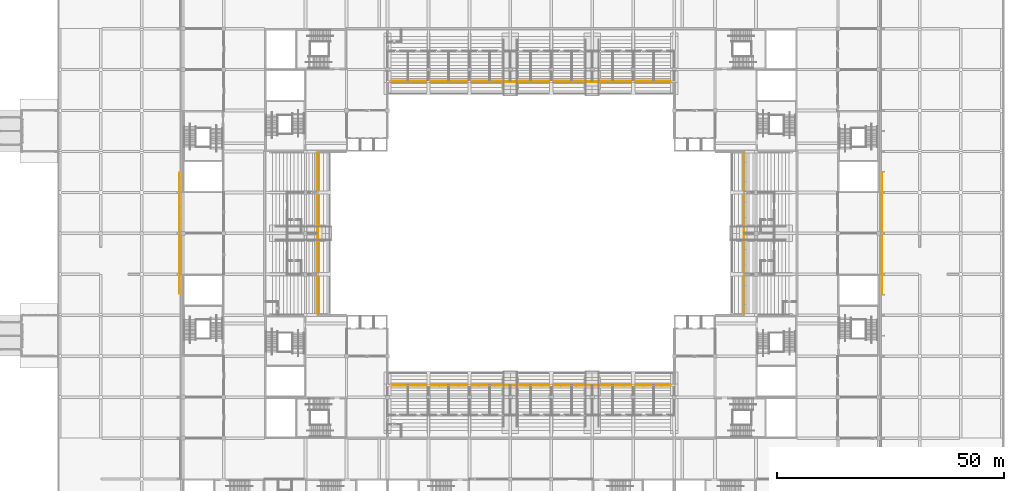
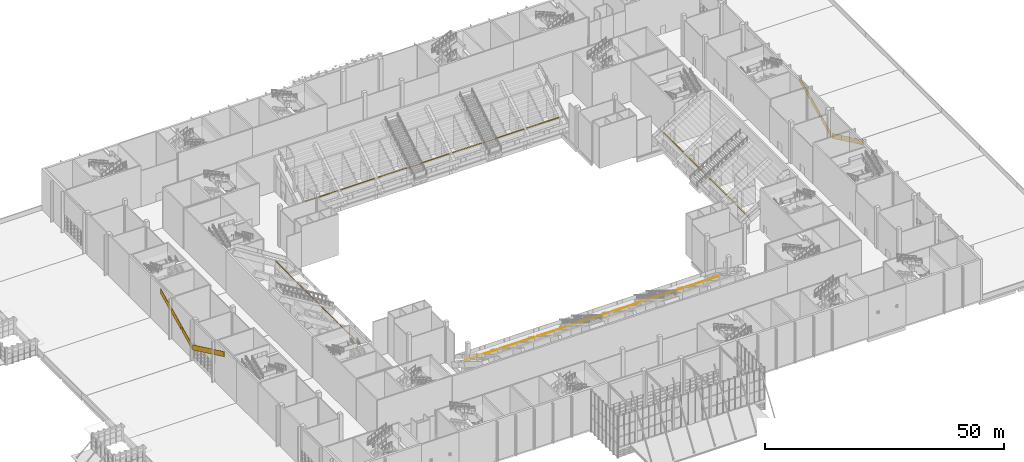
# One storey, part 179 of 182: 39 coverings.
"""IFC4 building model written with IfcOpenShell, lengths in metres."""

from ifc_helpers import new_model, si_unit, direction, frame, origin, place, context, subcontext, project, spatial, faceted_brep, material, layer, layer_set, type_object, element, save


model = new_model("IFC4")

# Units and contexts
model_context = context("Model", 3, precision=1e-05, world=origin(), true_north=direction((0.0, 1.0)))
body_context = subcontext(model_context, "Body", "Model", "MODEL_VIEW")
ifc_project = project(units=[si_unit("LENGTHUNIT", "METRE"), si_unit("AREAUNIT", "SQUARE_METRE"), si_unit("VOLUMEUNIT", "CUBIC_METRE"), si_unit("PLANEANGLEUNIT", "RADIAN"), si_unit("MASSUNIT", "GRAM", prefix="KILO")], contexts=[model_context])

# Site, building, storey
site_placement = place(None, origin())
site = spatial("IfcSite", under=ifc_project, at=site_placement, CompositionType="ELEMENT")
building_placement = place(site_placement, origin())
building = spatial("IfcBuilding", under=site, at=building_placement, Name="Silverbay Arena", CompositionType="ELEMENT")
storey_placement = place(building_placement, frame((0.0, 0.0, 11.5)))
storey = spatial("IfcBuildingStorey", under=building, at=storey_placement, Name="L02", CompositionType="ELEMENT", Elevation=11.5)

# Coverings
ifc_material_1 = material(Name="Mineral wool fire-stop packing")
ifc_layer_1 = layer(ifc_material_1, 0.199951171875)
ifc_layer_set_1 = layer_set([ifc_layer_1], Name="Mineral wool fire-stop packing")
covering_type_1 = type_object("IfcCoveringType", Name="Fire-stop packing", PredefinedType="CLADDING", material=ifc_layer_set_1)
covering_1_placement = place(storey_placement, origin())
element("IfcCovering", 1, at=covering_1_placement, inside=storey, type_object=covering_type_1, Name="Suite front fire-stop packing", PredefinedType="CLADDING", context=body_context, shape_type="Brep", body=[
    faceted_brep([(99.800048828125, 47.699951171875, 4.033935546875), (107.64990234375, 47.699951171875, 4.033935546875), (107.64990234375, 47.5, 4.033935546875), (99.800048828125, 47.5, 4.033935546875), (99.800048828125, 47.5, 4.195068359375), (107.64990234375, 47.5, 4.195068359375), (107.64990234375, 47.699951171875, 4.070068359375), (99.800048828125, 47.699951171875, 4.070068359375)], [[[0, 1, 2, 3]], [[4, 5, 6, 7]], [[3, 2, 5, 4]], [[2, 1, 6, 5]], [[1, 0, 7, 6]], [[0, 3, 4, 7]]]),
])
covering_2_placement = place(storey_placement, origin())
element("IfcCovering", 2, at=covering_2_placement, inside=storey, type_object=covering_type_1, Name="Suite front fire-stop packing", PredefinedType="CLADDING", context=body_context, shape_type="Brep", body=[
    faceted_brep([(108.35009765625, 47.699951171875, 4.033935546875), (116.64990234375, 47.699951171875, 4.033935546875), (116.64990234375, 47.5, 4.033935546875), (108.35009765625, 47.5, 4.033935546875), (108.35009765625, 47.5, 4.195068359375), (116.64990234375, 47.5, 4.195068359375), (116.64990234375, 47.699951171875, 4.070068359375), (108.35009765625, 47.699951171875, 4.070068359375)], [[[0, 1, 2, 3]], [[4, 5, 6, 7]], [[3, 2, 5, 4]], [[2, 1, 6, 5]], [[1, 0, 7, 6]], [[0, 3, 4, 7]]]),
])
covering_3_placement = place(storey_placement, origin())
element("IfcCovering", 3, at=covering_3_placement, inside=storey, type_object=covering_type_1, Name="Suite front fire-stop packing", PredefinedType="CLADDING", context=body_context, shape_type="Brep", body=[
    faceted_brep([(117.35009765625, 47.699951171875, 4.033935546875), (124.199951171875, 47.699951171875, 4.033935546875), (124.199951171875, 47.5, 4.033935546875), (117.35009765625, 47.5, 4.033935546875), (117.35009765625, 47.5, 4.195068359375), (124.199951171875, 47.5, 4.195068359375), (124.199951171875, 47.699951171875, 4.070068359375), (117.35009765625, 47.699951171875, 4.070068359375)], [[[0, 1, 2, 3]], [[4, 5, 6, 7]], [[3, 2, 5, 4]], [[2, 1, 6, 5]], [[1, 0, 7, 6]], [[0, 3, 4, 7]]]),
])
covering_4_placement = place(storey_placement, origin())
element("IfcCovering", 4, at=covering_4_placement, inside=storey, type_object=covering_type_1, Name="Suite front fire-stop packing", PredefinedType="CLADDING", context=body_context, shape_type="Brep", body=[
    faceted_brep([(127.800048828125, 47.699951171875, 4.033935546875), (134.64990234375, 47.699951171875, 4.033935546875), (134.64990234375, 47.5, 4.033935546875), (127.800048828125, 47.5, 4.033935546875), (127.800048828125, 47.5, 4.195068359375), (134.64990234375, 47.5, 4.195068359375), (134.64990234375, 47.699951171875, 4.070068359375), (127.800048828125, 47.699951171875, 4.070068359375)], [[[0, 1, 2, 3]], [[4, 5, 6, 7]], [[3, 2, 5, 4]], [[2, 1, 6, 5]], [[1, 0, 7, 6]], [[0, 3, 4, 7]]]),
])
covering_5_placement = place(storey_placement, origin())
element("IfcCovering", 5, at=covering_5_placement, inside=storey, type_object=covering_type_1, Name="Suite front fire-stop packing", PredefinedType="CLADDING", context=body_context, shape_type="Brep", body=[
    faceted_brep([(135.35009765625, 47.699951171875, 4.033935546875), (142.199951171875, 47.699951171875, 4.033935546875), (142.199951171875, 47.5, 4.033935546875), (135.35009765625, 47.5, 4.033935546875), (135.35009765625, 47.5, 4.195068359375), (142.199951171875, 47.5, 4.195068359375), (142.199951171875, 47.699951171875, 4.070068359375), (135.35009765625, 47.699951171875, 4.070068359375)], [[[0, 1, 2, 3]], [[4, 5, 6, 7]], [[3, 2, 5, 4]], [[2, 1, 6, 5]], [[1, 0, 7, 6]], [[0, 3, 4, 7]]]),
])
covering_6_placement = place(storey_placement, origin())
element("IfcCovering", 6, at=covering_6_placement, inside=storey, type_object=covering_type_1, Name="Suite front fire-stop packing", PredefinedType="CLADDING", context=body_context, shape_type="Brep", body=[
    faceted_brep([(145.800048828125, 47.699951171875, 4.033935546875), (152.64990234375, 47.699951171875, 4.033935546875), (152.64990234375, 47.5, 4.033935546875), (145.800048828125, 47.5, 4.033935546875), (145.800048828125, 47.5, 4.195068359375), (152.64990234375, 47.5, 4.195068359375), (152.64990234375, 47.699951171875, 4.070068359375), (145.800048828125, 47.699951171875, 4.070068359375)], [[[0, 1, 2, 3]], [[4, 5, 6, 7]], [[3, 2, 5, 4]], [[2, 1, 6, 5]], [[1, 0, 7, 6]], [[0, 3, 4, 7]]]),
])
covering_7_placement = place(storey_placement, origin())
element("IfcCovering", 7, at=covering_7_placement, inside=storey, type_object=covering_type_1, Name="Suite front fire-stop packing", PredefinedType="CLADDING", context=body_context, shape_type="Brep", body=[
    faceted_brep([(153.35009765625, 47.699951171875, 4.033935546875), (161.199951171875, 47.699951171875, 4.033935546875), (161.199951171875, 47.5, 4.033935546875), (153.35009765625, 47.5, 4.033935546875), (153.35009765625, 47.5, 4.195068359375), (161.199951171875, 47.5, 4.195068359375), (161.199951171875, 47.699951171875, 4.070068359375), (153.35009765625, 47.699951171875, 4.070068359375)], [[[0, 1, 2, 3]], [[4, 5, 6, 7]], [[3, 2, 5, 4]], [[2, 1, 6, 5]], [[1, 0, 7, 6]], [[0, 3, 4, 7]]]),
])
covering_8_placement = place(storey_placement, origin())
element("IfcCovering", 8, at=covering_8_placement, inside=storey, type_object=covering_type_1, Name="Suite front fire-stop packing", PredefinedType="CLADDING", context=body_context, shape_type="Brep", body=[
    faceted_brep([(177.300048828125, 63.300048828125, 4.033935546875), (177.300048828125, 71.64990234375, 4.033935546875), (177.5, 71.64990234375, 4.033935546875), (177.5, 63.300048828125, 4.033935546875), (177.5, 63.300048828125, 4.195068359375), (177.5, 71.64990234375, 4.195068359375), (177.300048828125, 71.64990234375, 4.070068359375), (177.300048828125, 63.300048828125, 4.070068359375)], [[[0, 1, 2, 3]], [[4, 5, 6, 7]], [[3, 2, 5, 4]], [[2, 1, 6, 5]], [[1, 0, 7, 6]], [[0, 3, 4, 7]]]),
])
covering_9_placement = place(storey_placement, origin())
element("IfcCovering", 9, at=covering_9_placement, inside=storey, type_object=covering_type_1, Name="Suite front fire-stop packing", PredefinedType="CLADDING", context=body_context, shape_type="Brep", body=[
    faceted_brep([(177.300048828125, 72.35009765625, 4.033935546875), (177.300048828125, 79.199951171875, 4.033935546875), (177.5, 79.199951171875, 4.033935546875), (177.5, 72.35009765625, 4.033935546875), (177.5, 72.35009765625, 4.195068359375), (177.5, 79.199951171875, 4.195068359375), (177.300048828125, 79.199951171875, 4.070068359375), (177.300048828125, 72.35009765625, 4.070068359375)], [[[0, 1, 2, 3]], [[4, 5, 6, 7]], [[3, 2, 5, 4]], [[2, 1, 6, 5]], [[1, 0, 7, 6]], [[0, 3, 4, 7]]]),
])
covering_10_placement = place(storey_placement, origin())
element("IfcCovering", 10, at=covering_10_placement, inside=storey, type_object=covering_type_1, Name="Suite front fire-stop packing", PredefinedType="CLADDING", context=body_context, shape_type="Brep", body=[
    faceted_brep([(177.300048828125, 82.800048828125, 4.033935546875), (177.300048828125, 89.64990234375, 4.033935546875), (177.5, 89.64990234375, 4.033935546875), (177.5, 82.800048828125, 4.033935546875), (177.5, 82.800048828125, 4.195068359375), (177.5, 89.64990234375, 4.195068359375), (177.300048828125, 89.64990234375, 4.070068359375), (177.300048828125, 82.800048828125, 4.070068359375)], [[[0, 1, 2, 3]], [[4, 5, 6, 7]], [[3, 2, 5, 4]], [[2, 1, 6, 5]], [[1, 0, 7, 6]], [[0, 3, 4, 7]]]),
])
covering_11_placement = place(storey_placement, origin())
element("IfcCovering", 11, at=covering_11_placement, inside=storey, type_object=covering_type_1, Name="Suite front fire-stop packing", PredefinedType="CLADDING", context=body_context, shape_type="Brep", body=[
    faceted_brep([(177.300048828125, 90.35009765625, 4.033935546875), (177.300048828125, 98.699951171875, 4.033935546875), (177.5, 98.699951171875, 4.033935546875), (177.5, 90.35009765625, 4.033935546875), (177.5, 90.35009765625, 4.195068359375), (177.5, 98.699951171875, 4.195068359375), (177.300048828125, 98.699951171875, 4.070068359375), (177.300048828125, 90.35009765625, 4.070068359375)], [[[0, 1, 2, 3]], [[4, 5, 6, 7]], [[3, 2, 5, 4]], [[2, 1, 6, 5]], [[1, 0, 7, 6]], [[0, 3, 4, 7]]]),
])
covering_12_placement = place(storey_placement, origin())
element("IfcCovering", 12, at=covering_12_placement, inside=storey, type_object=covering_type_1, Name="Suite front fire-stop packing", PredefinedType="CLADDING", context=body_context, shape_type="Brep", body=[
    faceted_brep([(99.800048828125, 114.5, 4.033935546875), (107.64990234375, 114.5, 4.033935546875), (107.64990234375, 114.300048828125, 4.033935546875), (99.800048828125, 114.300048828125, 4.033935546875), (99.800048828125, 114.300048828125, 4.070068359375), (107.64990234375, 114.300048828125, 4.070068359375), (107.64990234375, 114.5, 4.195068359375), (99.800048828125, 114.5, 4.195068359375)], [[[0, 1, 2, 3]], [[4, 5, 6, 7]], [[3, 2, 5, 4]], [[2, 1, 6, 5]], [[1, 0, 7, 6]], [[0, 3, 4, 7]]]),
])
covering_13_placement = place(storey_placement, origin())
element("IfcCovering", 13, at=covering_13_placement, inside=storey, type_object=covering_type_1, Name="Suite front fire-stop packing", PredefinedType="CLADDING", context=body_context, shape_type="Brep", body=[
    faceted_brep([(108.35009765625, 114.5, 4.033935546875), (116.64990234375, 114.5, 4.033935546875), (116.64990234375, 114.300048828125, 4.033935546875), (108.35009765625, 114.300048828125, 4.033935546875), (108.35009765625, 114.300048828125, 4.070068359375), (116.64990234375, 114.300048828125, 4.070068359375), (116.64990234375, 114.5, 4.195068359375), (108.35009765625, 114.5, 4.195068359375)], [[[0, 1, 2, 3]], [[4, 5, 6, 7]], [[3, 2, 5, 4]], [[2, 1, 6, 5]], [[1, 0, 7, 6]], [[0, 3, 4, 7]]]),
])
covering_14_placement = place(storey_placement, origin())
element("IfcCovering", 14, at=covering_14_placement, inside=storey, type_object=covering_type_1, Name="Suite front fire-stop packing", PredefinedType="CLADDING", context=body_context, shape_type="Brep", body=[
    faceted_brep([(117.35009765625, 114.5, 4.033935546875), (124.199951171875, 114.5, 4.033935546875), (124.199951171875, 114.300048828125, 4.033935546875), (117.35009765625, 114.300048828125, 4.033935546875), (117.35009765625, 114.300048828125, 4.070068359375), (124.199951171875, 114.300048828125, 4.070068359375), (124.199951171875, 114.5, 4.195068359375), (117.35009765625, 114.5, 4.195068359375)], [[[0, 1, 2, 3]], [[4, 5, 6, 7]], [[3, 2, 5, 4]], [[2, 1, 6, 5]], [[1, 0, 7, 6]], [[0, 3, 4, 7]]]),
])
covering_15_placement = place(storey_placement, origin())
element("IfcCovering", 15, at=covering_15_placement, inside=storey, type_object=covering_type_1, Name="Suite front fire-stop packing", PredefinedType="CLADDING", context=body_context, shape_type="Brep", body=[
    faceted_brep([(127.800048828125, 114.5, 4.033935546875), (134.64990234375, 114.5, 4.033935546875), (134.64990234375, 114.300048828125, 4.033935546875), (127.800048828125, 114.300048828125, 4.033935546875), (127.800048828125, 114.300048828125, 4.070068359375), (134.64990234375, 114.300048828125, 4.070068359375), (134.64990234375, 114.5, 4.195068359375), (127.800048828125, 114.5, 4.195068359375)], [[[0, 1, 2, 3]], [[4, 5, 6, 7]], [[3, 2, 5, 4]], [[2, 1, 6, 5]], [[1, 0, 7, 6]], [[0, 3, 4, 7]]]),
])
covering_16_placement = place(storey_placement, origin())
element("IfcCovering", 16, at=covering_16_placement, inside=storey, type_object=covering_type_1, Name="Suite front fire-stop packing", PredefinedType="CLADDING", context=body_context, shape_type="Brep", body=[
    faceted_brep([(135.35009765625, 114.5, 4.033935546875), (142.199951171875, 114.5, 4.033935546875), (142.199951171875, 114.300048828125, 4.033935546875), (135.35009765625, 114.300048828125, 4.033935546875), (135.35009765625, 114.300048828125, 4.070068359375), (142.199951171875, 114.300048828125, 4.070068359375), (142.199951171875, 114.5, 4.195068359375), (135.35009765625, 114.5, 4.195068359375)], [[[0, 1, 2, 3]], [[4, 5, 6, 7]], [[3, 2, 5, 4]], [[2, 1, 6, 5]], [[1, 0, 7, 6]], [[0, 3, 4, 7]]]),
])
covering_17_placement = place(storey_placement, origin())
element("IfcCovering", 17, at=covering_17_placement, inside=storey, type_object=covering_type_1, Name="Suite front fire-stop packing", PredefinedType="CLADDING", context=body_context, shape_type="Brep", body=[
    faceted_brep([(145.800048828125, 114.5, 4.033935546875), (152.64990234375, 114.5, 4.033935546875), (152.64990234375, 114.300048828125, 4.033935546875), (145.800048828125, 114.300048828125, 4.033935546875), (145.800048828125, 114.300048828125, 4.070068359375), (152.64990234375, 114.300048828125, 4.070068359375), (152.64990234375, 114.5, 4.195068359375), (145.800048828125, 114.5, 4.195068359375)], [[[0, 1, 2, 3]], [[4, 5, 6, 7]], [[3, 2, 5, 4]], [[2, 1, 6, 5]], [[1, 0, 7, 6]], [[0, 3, 4, 7]]]),
])
covering_18_placement = place(storey_placement, origin())
element("IfcCovering", 18, at=covering_18_placement, inside=storey, type_object=covering_type_1, Name="Suite front fire-stop packing", PredefinedType="CLADDING", context=body_context, shape_type="Brep", body=[
    faceted_brep([(153.35009765625, 114.5, 4.033935546875), (161.199951171875, 114.5, 4.033935546875), (161.199951171875, 114.300048828125, 4.033935546875), (153.35009765625, 114.300048828125, 4.033935546875), (153.35009765625, 114.300048828125, 4.070068359375), (161.199951171875, 114.300048828125, 4.070068359375), (161.199951171875, 114.5, 4.195068359375), (153.35009765625, 114.5, 4.195068359375)], [[[0, 1, 2, 3]], [[4, 5, 6, 7]], [[3, 2, 5, 4]], [[2, 1, 6, 5]], [[1, 0, 7, 6]], [[0, 3, 4, 7]]]),
])
covering_19_placement = place(storey_placement, origin())
element("IfcCovering", 19, at=covering_19_placement, inside=storey, type_object=covering_type_1, Name="Suite front fire-stop packing", PredefinedType="CLADDING", context=body_context, shape_type="Brep", body=[
    faceted_brep([(83.5, 63.300048828125, 4.033935546875), (83.5, 71.64990234375, 4.033935546875), (83.699951171875, 71.64990234375, 4.033935546875), (83.699951171875, 63.300048828125, 4.033935546875), (83.699951171875, 63.300048828125, 4.070068359375), (83.699951171875, 71.64990234375, 4.070068359375), (83.5, 71.64990234375, 4.195068359375), (83.5, 63.300048828125, 4.195068359375)], [[[0, 1, 2, 3]], [[4, 5, 6, 7]], [[3, 2, 5, 4]], [[2, 1, 6, 5]], [[1, 0, 7, 6]], [[0, 3, 4, 7]]]),
])
covering_20_placement = place(storey_placement, origin())
element("IfcCovering", 20, at=covering_20_placement, inside=storey, type_object=covering_type_1, Name="Suite front fire-stop packing", PredefinedType="CLADDING", context=body_context, shape_type="Brep", body=[
    faceted_brep([(83.5, 72.35009765625, 4.033935546875), (83.5, 79.199951171875, 4.033935546875), (83.699951171875, 79.199951171875, 4.033935546875), (83.699951171875, 72.35009765625, 4.033935546875), (83.699951171875, 72.35009765625, 4.070068359375), (83.699951171875, 79.199951171875, 4.070068359375), (83.5, 79.199951171875, 4.195068359375), (83.5, 72.35009765625, 4.195068359375)], [[[0, 1, 2, 3]], [[4, 5, 6, 7]], [[3, 2, 5, 4]], [[2, 1, 6, 5]], [[1, 0, 7, 6]], [[0, 3, 4, 7]]]),
])
covering_21_placement = place(storey_placement, origin())
element("IfcCovering", 21, at=covering_21_placement, inside=storey, type_object=covering_type_1, Name="Suite front fire-stop packing", PredefinedType="CLADDING", context=body_context, shape_type="Brep", body=[
    faceted_brep([(83.5, 82.800048828125, 4.033935546875), (83.5, 89.64990234375, 4.033935546875), (83.699951171875, 89.64990234375, 4.033935546875), (83.699951171875, 82.800048828125, 4.033935546875), (83.699951171875, 82.800048828125, 4.070068359375), (83.699951171875, 89.64990234375, 4.070068359375), (83.5, 89.64990234375, 4.195068359375), (83.5, 82.800048828125, 4.195068359375)], [[[0, 1, 2, 3]], [[4, 5, 6, 7]], [[3, 2, 5, 4]], [[2, 1, 6, 5]], [[1, 0, 7, 6]], [[0, 3, 4, 7]]]),
])
covering_22_placement = place(storey_placement, origin())
element("IfcCovering", 22, at=covering_22_placement, inside=storey, type_object=covering_type_1, Name="Suite front fire-stop packing", PredefinedType="CLADDING", context=body_context, shape_type="Brep", body=[
    faceted_brep([(83.5, 90.35009765625, 4.033935546875), (83.5, 98.699951171875, 4.033935546875), (83.699951171875, 98.699951171875, 4.033935546875), (83.699951171875, 90.35009765625, 4.033935546875), (83.699951171875, 90.35009765625, 4.070068359375), (83.699951171875, 98.699951171875, 4.070068359375), (83.5, 98.699951171875, 4.195068359375), (83.5, 90.35009765625, 4.195068359375)], [[[0, 1, 2, 3]], [[4, 5, 6, 7]], [[3, 2, 5, 4]], [[2, 1, 6, 5]], [[1, 0, 7, 6]], [[0, 3, 4, 7]]]),
])
covering_23_placement = place(storey_placement, origin())
element("IfcCovering", 23, at=covering_23_placement, inside=storey, type_object=covering_type_1, Name="Suite front fire-stop packing", PredefinedType="CLADDING", context=body_context, shape_type="Brep", body=[
    faceted_brep([(124.199951171875, 47.75, 4.033935546875), (127.800048828125, 47.75, 4.033935546875), (127.800048828125, 47.550048828125, 4.033935546875), (124.199951171875, 47.550048828125, 4.033935546875), (124.199951171875, 47.550048828125, 4.1640625), (127.800048828125, 47.550048828125, 4.1640625), (127.800048828125, 47.75, 4.0390625), (124.199951171875, 47.75, 4.0390625)], [[[0, 1, 2, 3]], [[4, 5, 6, 7]], [[3, 2, 5, 4]], [[2, 1, 6, 5]], [[1, 0, 7, 6]], [[0, 3, 4, 7]]]),
])
covering_24_placement = place(storey_placement, origin())
element("IfcCovering", 24, at=covering_24_placement, inside=storey, type_object=covering_type_1, Name="Suite front fire-stop packing", PredefinedType="CLADDING", context=body_context, shape_type="Brep", body=[
    faceted_brep([(142.199951171875, 47.75, 4.033935546875), (145.800048828125, 47.75, 4.033935546875), (145.800048828125, 47.550048828125, 4.033935546875), (142.199951171875, 47.550048828125, 4.033935546875), (142.199951171875, 47.550048828125, 4.1640625), (145.800048828125, 47.550048828125, 4.1640625), (145.800048828125, 47.75, 4.0390625), (142.199951171875, 47.75, 4.0390625)], [[[0, 1, 2, 3]], [[4, 5, 6, 7]], [[3, 2, 5, 4]], [[2, 1, 6, 5]], [[1, 0, 7, 6]], [[0, 3, 4, 7]]]),
])
covering_25_placement = place(storey_placement, origin())
element("IfcCovering", 25, at=covering_25_placement, inside=storey, type_object=covering_type_1, Name="Suite front fire-stop packing", PredefinedType="CLADDING", context=body_context, shape_type="Brep", body=[
    faceted_brep([(177.25, 79.199951171875, 4.033935546875), (177.25, 82.800048828125, 4.033935546875), (177.449951171875, 82.800048828125, 4.033935546875), (177.449951171875, 79.199951171875, 4.033935546875), (177.449951171875, 79.199951171875, 4.1640625), (177.449951171875, 82.800048828125, 4.1640625), (177.25, 82.800048828125, 4.0390625), (177.25, 79.199951171875, 4.0390625)], [[[0, 1, 2, 3]], [[4, 5, 6, 7]], [[3, 2, 5, 4]], [[2, 1, 6, 5]], [[1, 0, 7, 6]], [[0, 3, 4, 7]]]),
])
covering_26_placement = place(storey_placement, origin())
element("IfcCovering", 26, at=covering_26_placement, inside=storey, type_object=covering_type_1, Name="Suite front fire-stop packing", PredefinedType="CLADDING", context=body_context, shape_type="Brep", body=[
    faceted_brep([(124.199951171875, 114.449951171875, 4.033935546875), (127.800048828125, 114.449951171875, 4.033935546875), (127.800048828125, 114.25, 4.033935546875), (124.199951171875, 114.25, 4.033935546875), (124.199951171875, 114.25, 4.0390625), (127.800048828125, 114.25, 4.0390625), (127.800048828125, 114.449951171875, 4.1640625), (124.199951171875, 114.449951171875, 4.1640625)], [[[0, 1, 2, 3]], [[4, 5, 6, 7]], [[3, 2, 5, 4]], [[2, 1, 6, 5]], [[1, 0, 7, 6]], [[0, 3, 4, 7]]]),
])
covering_27_placement = place(storey_placement, origin())
element("IfcCovering", 27, at=covering_27_placement, inside=storey, type_object=covering_type_1, Name="Suite front fire-stop packing", PredefinedType="CLADDING", context=body_context, shape_type="Brep", body=[
    faceted_brep([(142.199951171875, 114.449951171875, 4.033935546875), (145.800048828125, 114.449951171875, 4.033935546875), (145.800048828125, 114.25, 4.033935546875), (142.199951171875, 114.25, 4.033935546875), (142.199951171875, 114.25, 4.0390625), (145.800048828125, 114.25, 4.0390625), (145.800048828125, 114.449951171875, 4.1640625), (142.199951171875, 114.449951171875, 4.1640625)], [[[0, 1, 2, 3]], [[4, 5, 6, 7]], [[3, 2, 5, 4]], [[2, 1, 6, 5]], [[1, 0, 7, 6]], [[0, 3, 4, 7]]]),
])
covering_28_placement = place(storey_placement, origin())
element("IfcCovering", 28, at=covering_28_placement, inside=storey, type_object=covering_type_1, Name="Suite front fire-stop packing", PredefinedType="CLADDING", context=body_context, shape_type="Brep", body=[
    faceted_brep([(83.550048828125, 79.199951171875, 4.033935546875), (83.550048828125, 82.800048828125, 4.033935546875), (83.75, 82.800048828125, 4.033935546875), (83.75, 79.199951171875, 4.033935546875), (83.75, 79.199951171875, 4.0390625), (83.75, 82.800048828125, 4.0390625), (83.550048828125, 82.800048828125, 4.1640625), (83.550048828125, 79.199951171875, 4.1640625)], [[[0, 1, 2, 3]], [[4, 5, 6, 7]], [[3, 2, 5, 4]], [[2, 1, 6, 5]], [[1, 0, 7, 6]], [[0, 3, 4, 7]]]),
])
ifc_material_2 = material(Name="Stainless steel grade 316, brushed", Category="steel")
ifc_layer_2 = layer(ifc_material_2, 0.06005859375)
ifc_layer_set_2 = layer_set([ifc_layer_2], Name="Stainless steel grade 316, brushed")
covering_type_2 = type_object("IfcCoveringType", Name="Stainless rainscreen band panel 60", PredefinedType="CLADDING", material=ifc_layer_set_2)
covering_29_placement = place(storey_placement, origin())
element("IfcCovering", 29, at=covering_29_placement, inside=storey, type_object=covering_type_2, Name="West raked band panel lower 6", PredefinedType="CLADDING", context=body_context, shape_type="Brep", body=[
    faceted_brep([(53.320068359375, 67.699951171875, 9.017578125), (53.320068359375, 71.800048828125, 7.070068359375), (53.320068359375, 71.800048828125, 8.3984375), (53.320068359375, 67.699951171875, 10.345947265625), (53.260009765625, 67.699951171875, 10.345947265625), (53.260009765625, 71.800048828125, 8.3984375), (53.260009765625, 71.800048828125, 7.070068359375), (53.260009765625, 67.699951171875, 9.017578125)], [[[0, 1, 2, 3]], [[4, 5, 6, 7]], [[7, 6, 1, 0]], [[6, 5, 2, 1]], [[5, 4, 3, 2]], [[4, 7, 0, 3]]]),
])
covering_30_placement = place(storey_placement, origin())
element("IfcCovering", 30, at=covering_30_placement, inside=storey, type_object=covering_type_2, Name="West raked band panel lower 7", PredefinedType="CLADDING", context=body_context, shape_type="Brep", body=[
    faceted_brep([(53.320068359375, 72.00537109375, 6.972412109375), (53.320068359375, 80.99462890625, 2.702392578125), (53.320068359375, 80.99462890625, 4.031005859375), (53.320068359375, 72.00537109375, 8.301025390625), (53.260009765625, 72.00537109375, 8.301025390625), (53.260009765625, 80.99462890625, 4.031005859375), (53.260009765625, 80.99462890625, 2.702392578125), (53.260009765625, 72.00537109375, 6.972412109375)], [[[0, 1, 2, 3]], [[4, 5, 6, 7]], [[7, 6, 1, 0]], [[6, 5, 2, 1]], [[5, 4, 3, 2]], [[4, 7, 0, 3]]]),
])
covering_31_placement = place(storey_placement, origin())
element("IfcCovering", 31, at=covering_31_placement, inside=storey, type_object=covering_type_2, Name="West raked band panel lower 9", PredefinedType="CLADDING", context=body_context, shape_type="Brep", body=[
    faceted_brep([(53.320068359375, 81.199951171875, 2.794921875), (53.320068359375, 85.300048828125, 4.742431640625), (53.320068359375, 85.300048828125, 6.071044921875), (53.320068359375, 81.199951171875, 4.12353515625), (53.260009765625, 81.199951171875, 4.12353515625), (53.260009765625, 85.300048828125, 6.071044921875), (53.260009765625, 85.300048828125, 4.742431640625), (53.260009765625, 81.199951171875, 2.794921875)], [[[0, 1, 2, 3]], [[4, 5, 6, 7]], [[7, 6, 1, 0]], [[6, 5, 2, 1]], [[5, 4, 3, 2]], [[4, 7, 0, 3]]]),
])
covering_32_placement = place(storey_placement, origin())
element("IfcCovering", 32, at=covering_32_placement, inside=storey, type_object=covering_type_2, Name="West raked band panel lower 10", PredefinedType="CLADDING", context=body_context, shape_type="Brep", body=[
    faceted_brep([(53.320068359375, 85.699951171875, 4.9326171875), (53.320068359375, 89.800048828125, 6.8798828125), (53.320068359375, 89.800048828125, 8.20849609375), (53.320068359375, 85.699951171875, 6.260986328125), (53.260009765625, 85.699951171875, 6.260986328125), (53.260009765625, 89.800048828125, 8.20849609375), (53.260009765625, 89.800048828125, 6.8798828125), (53.260009765625, 85.699951171875, 4.9326171875)], [[[0, 1, 2, 3]], [[4, 5, 6, 7]], [[7, 6, 1, 0]], [[6, 5, 2, 1]], [[5, 4, 3, 2]], [[4, 7, 0, 3]]]),
])
covering_33_placement = place(storey_placement, origin())
element("IfcCovering", 33, at=covering_33_placement, inside=storey, type_object=covering_type_2, Name="West raked band panel lower 11", PredefinedType="CLADDING", context=body_context, shape_type="Brep", body=[
    faceted_brep([(53.320068359375, 90.199951171875, 7.070068359375), (53.320068359375, 94.300048828125, 9.017578125), (53.320068359375, 94.300048828125, 10.345947265625), (53.320068359375, 90.199951171875, 8.3984375), (53.260009765625, 90.199951171875, 8.3984375), (53.260009765625, 94.300048828125, 10.345947265625), (53.260009765625, 94.300048828125, 9.017578125), (53.260009765625, 90.199951171875, 7.070068359375)], [[[0, 1, 2, 3]], [[4, 5, 6, 7]], [[7, 6, 1, 0]], [[6, 5, 2, 1]], [[5, 4, 3, 2]], [[4, 7, 0, 3]]]),
])
covering_34_placement = place(storey_placement, origin())
element("IfcCovering", 34, at=covering_34_placement, inside=storey, type_object=covering_type_2, Name="East raked band panel lower 6", PredefinedType="CLADDING", context=body_context, shape_type="Brep", body=[
    faceted_brep([(207.679931640625, 67.699951171875, 10.345947265625), (207.679931640625, 71.800048828125, 8.3984375), (207.679931640625, 71.800048828125, 7.070068359375), (207.679931640625, 67.699951171875, 9.017578125), (207.739990234375, 67.699951171875, 9.017578125), (207.739990234375, 71.800048828125, 7.070068359375), (207.739990234375, 71.800048828125, 8.3984375), (207.739990234375, 67.699951171875, 10.345947265625)], [[[0, 1, 2, 3]], [[4, 5, 6, 7]], [[3, 2, 5, 4]], [[2, 1, 6, 5]], [[1, 0, 7, 6]], [[0, 3, 4, 7]]]),
])
covering_35_placement = place(storey_placement, origin())
element("IfcCovering", 35, at=covering_35_placement, inside=storey, type_object=covering_type_2, Name="East raked band panel lower 7", PredefinedType="CLADDING", context=body_context, shape_type="Brep", body=[
    faceted_brep([(207.679931640625, 72.199951171875, 8.20849609375), (207.679931640625, 76.300048828125, 6.260986328125), (207.679931640625, 76.300048828125, 4.9326171875), (207.679931640625, 72.199951171875, 6.8798828125), (207.739990234375, 72.199951171875, 6.8798828125), (207.739990234375, 76.300048828125, 4.9326171875), (207.739990234375, 76.300048828125, 6.260986328125), (207.739990234375, 72.199951171875, 8.20849609375)], [[[0, 1, 2, 3]], [[4, 5, 6, 7]], [[3, 2, 5, 4]], [[2, 1, 6, 5]], [[1, 0, 7, 6]], [[0, 3, 4, 7]]]),
])
covering_36_placement = place(storey_placement, origin())
element("IfcCovering", 36, at=covering_36_placement, inside=storey, type_object=covering_type_2, Name="East raked band panel lower 8", PredefinedType="CLADDING", context=body_context, shape_type="Brep", body=[
    faceted_brep([(207.679931640625, 76.699951171875, 6.071044921875), (207.679931640625, 80.800048828125, 4.12353515625), (207.679931640625, 80.800048828125, 2.794921875), (207.679931640625, 76.699951171875, 4.742431640625), (207.739990234375, 76.699951171875, 4.742431640625), (207.739990234375, 80.800048828125, 2.794921875), (207.739990234375, 80.800048828125, 4.12353515625), (207.739990234375, 76.699951171875, 6.071044921875)], [[[0, 1, 2, 3]], [[4, 5, 6, 7]], [[3, 2, 5, 4]], [[2, 1, 6, 5]], [[1, 0, 7, 6]], [[0, 3, 4, 7]]]),
])
covering_37_placement = place(storey_placement, origin())
element("IfcCovering", 37, at=covering_37_placement, inside=storey, type_object=covering_type_2, Name="East raked band panel lower 9", PredefinedType="CLADDING", context=body_context, shape_type="Brep", body=[
    faceted_brep([(207.679931640625, 81.199951171875, 4.12353515625), (207.679931640625, 85.300048828125, 6.071044921875), (207.679931640625, 85.300048828125, 4.742431640625), (207.679931640625, 81.199951171875, 2.794921875), (207.739990234375, 81.199951171875, 2.794921875), (207.739990234375, 85.300048828125, 4.742431640625), (207.739990234375, 85.300048828125, 6.071044921875), (207.739990234375, 81.199951171875, 4.12353515625)], [[[0, 1, 2, 3]], [[4, 5, 6, 7]], [[3, 2, 5, 4]], [[2, 1, 6, 5]], [[1, 0, 7, 6]], [[0, 3, 4, 7]]]),
])
covering_38_placement = place(storey_placement, origin())
element("IfcCovering", 38, at=covering_38_placement, inside=storey, type_object=covering_type_2, Name="East raked band panel lower 10", PredefinedType="CLADDING", context=body_context, shape_type="Brep", body=[
    faceted_brep([(207.679931640625, 85.699951171875, 6.260986328125), (207.679931640625, 89.800048828125, 8.20849609375), (207.679931640625, 89.800048828125, 6.8798828125), (207.679931640625, 85.699951171875, 4.9326171875), (207.739990234375, 85.699951171875, 4.9326171875), (207.739990234375, 89.800048828125, 6.8798828125), (207.739990234375, 89.800048828125, 8.20849609375), (207.739990234375, 85.699951171875, 6.260986328125)], [[[0, 1, 2, 3]], [[4, 5, 6, 7]], [[3, 2, 5, 4]], [[2, 1, 6, 5]], [[1, 0, 7, 6]], [[0, 3, 4, 7]]]),
])
covering_39_placement = place(storey_placement, origin())
element("IfcCovering", 39, at=covering_39_placement, inside=storey, type_object=covering_type_2, Name="East raked band panel lower 11", PredefinedType="CLADDING", context=body_context, shape_type="Brep", body=[
    faceted_brep([(207.679931640625, 90.199951171875, 8.3984375), (207.679931640625, 94.300048828125, 10.345947265625), (207.679931640625, 94.300048828125, 9.017578125), (207.679931640625, 90.199951171875, 7.070068359375), (207.739990234375, 90.199951171875, 7.070068359375), (207.739990234375, 94.300048828125, 9.017578125), (207.739990234375, 94.300048828125, 10.345947265625), (207.739990234375, 90.199951171875, 8.3984375)], [[[0, 1, 2, 3]], [[4, 5, 6, 7]], [[3, 2, 5, 4]], [[2, 1, 6, 5]], [[1, 0, 7, 6]], [[0, 3, 4, 7]]]),
])

save(model, "model.ifc")
